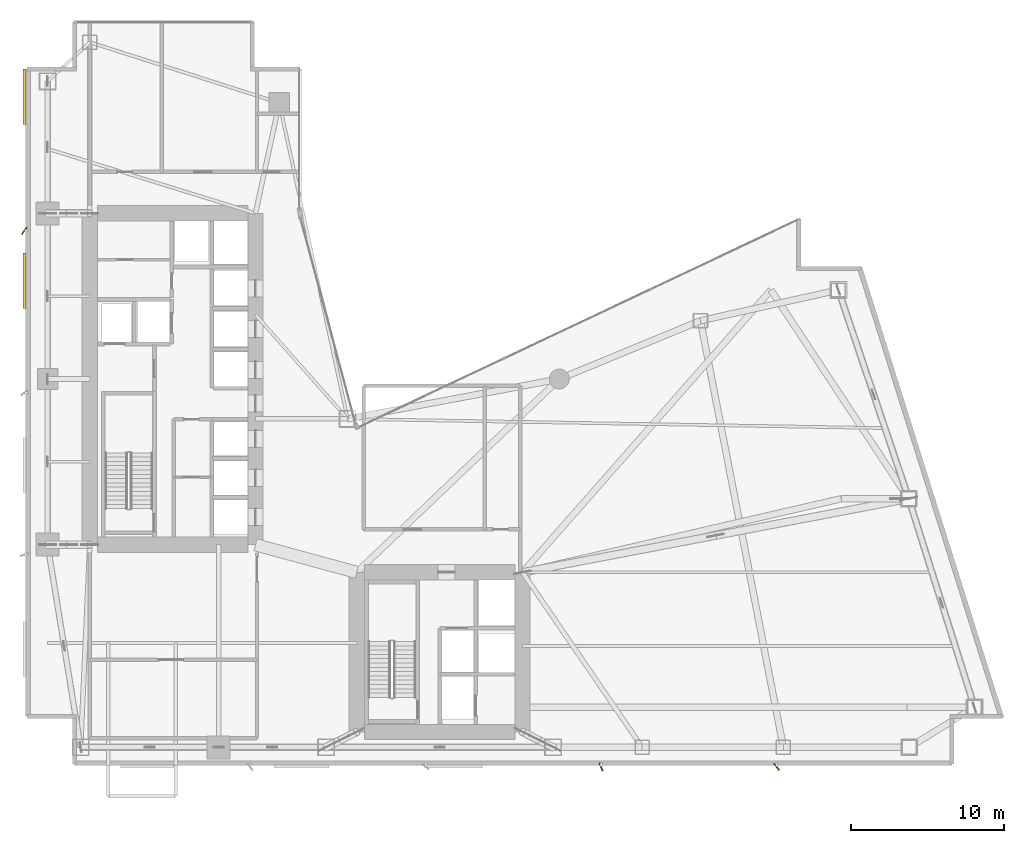
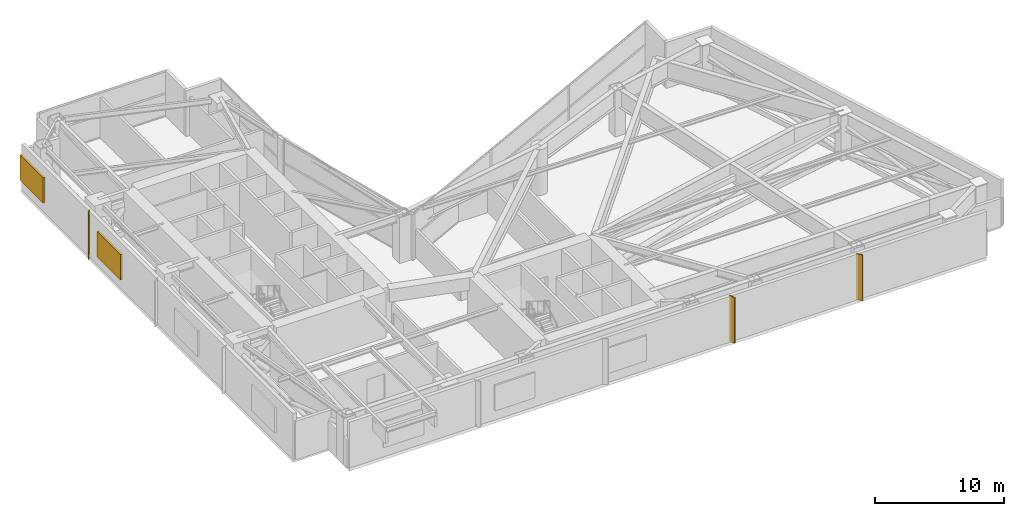
# One storey, part 18 of 18: 5 shading devices.
"""IFC4 building model written with IfcOpenShell, lengths in metres."""

from ifc_helpers import new_model, si_unit, direction, frame, origin, origin_2d, place, context, subcontext, project, spatial, rectangle, extrude, material, type_object, element, save


model = new_model("IFC4")

# Units and contexts
model_context = context("Model", 3, precision=1e-05, world=origin(), true_north=direction((0.0, 1.0)))
body_context = subcontext(model_context, "Body", "Model", "MODEL_VIEW")
ifc_project = project(units=[si_unit("LENGTHUNIT", "METRE"), si_unit("AREAUNIT", "SQUARE_METRE"), si_unit("VOLUMEUNIT", "CUBIC_METRE"), si_unit("PLANEANGLEUNIT", "RADIAN"), si_unit("MASSUNIT", "GRAM", prefix="KILO")], contexts=[model_context])

# Site, building, storey
site_placement = place(None, origin())
site = spatial("IfcSite", under=ifc_project, at=site_placement, CompositionType="ELEMENT")
building_placement = place(site_placement, origin())
building = spatial("IfcBuilding", under=site, at=building_placement, Name="Calvorn Quay Hotel", CompositionType="ELEMENT")
storey_placement = place(building_placement, frame((0.0, 0.0, 92.60009765625)))
storey = spatial("IfcBuildingStorey", under=building, at=storey_placement, Name="L22", CompositionType="ELEMENT", Elevation=92.60009765625)

# Shading devices
ifc_material_1 = material(Name="Champagne Bronze Anodised Aluminium 6063-T6", Category="aluminium")
shading_device_type_1 = type_object("IfcShadingDeviceType", Name="SHD-FIN-A1", PredefinedType="USERDEFINED", material=ifc_material_1)
shading_device_1_placement = place(storey_placement, frame((37.52001953125, 2.320068359375, -0.000244140625), z_axis=(0.0, 0.0, 1.0), x_axis=(-0.374606593416, 0.927183854567, 0.0)))
element("IfcShadingDevice", 1, at=shading_device_1_placement, inside=storey, type_object=shading_device_type_1, Name="Diagonal Sun-Shading Fin L22-S03", ObjectType="FIN", PredefinedType="USERDEFINED", context=body_context, shape_type="SweptSolid", body=[
    extrude(rectangle(XDim=0.550048828125, YDim=0.080078125, at=origin_2d()), origin(), (0.0, 0.0, 1.0), 4.35009765625),
])
ifc_material_2 = material(Name="Champagne Bronze Anodised Aluminium 6063-T6", Category="aluminium")
shading_device_type_2 = type_object("IfcShadingDeviceType", Name="SHD-FIN-A2", PredefinedType="USERDEFINED", material=ifc_material_2)
shading_device_2_placement = place(storey_placement, frame((48.9599609375, 2.320068359375, -0.000244140625), z_axis=(0.0, 0.0, 1.0), x_axis=(-0.615661475326, 0.788010753607, 0.0)))
element("IfcShadingDevice", 2, at=shading_device_2_placement, inside=storey, type_object=shading_device_type_2, Name="Diagonal Sun-Shading Fin L22-S04", ObjectType="FIN", PredefinedType="USERDEFINED", context=body_context, shape_type="SweptSolid", body=[
    extrude(rectangle(XDim=0.550048828125, YDim=0.080078125, at=origin_2d()), origin(), (0.0, 0.0, 1.0), 4.35009765625),
])
ifc_material_3 = material(Name="Champagne Bronze Anodised Aluminium 6063-T6", Category="aluminium")
shading_device_type_3 = type_object("IfcShadingDeviceType", Name="SHD-FIN-A3", PredefinedType="USERDEFINED", material=ifc_material_3)
shading_device_3_placement = place(storey_placement, frame((-0.080078125, 37.25, -0.000244140625), z_axis=(0.0, 0.0, 1.0), x_axis=(0.587785252292, 0.809016994375, 0.0)))
element("IfcShadingDevice", 3, at=shading_device_3_placement, inside=storey, type_object=shading_device_type_3, Name="Diagonal Sun-Shading Fin L22-W03", ObjectType="FIN", PredefinedType="USERDEFINED", context=body_context, shape_type="SweptSolid", body=[
    extrude(rectangle(XDim=0.550048828125, YDim=0.080078125, at=origin_2d()), origin(), (0.0, 0.0, 1.0), 4.35009765625),
])
ifc_material_4 = material(Name="Anodised Aluminium 6063-T6", Category="aluminium")
shading_device_type_4 = type_object("IfcShadingDeviceType", Name="SHD-MECH-LOUVRE", PredefinedType="USERDEFINED", material=ifc_material_4)
for number, where, z_axis, x_axis, name in (
    (4, (-0.06005859375, 34.0, 0.974853515625), (0.0, 0.0, 1.0), (1.0, 0.0, 0.0), "Refuge Stormproof Intake Louvre L22-W3"),
    (5, (-0.06005859375, 46.0, 0.974853515625), (0.0, 0.0, 1.0), (1.0, 0.0, 0.0), "Refuge Stormproof Intake Louvre L22-W4"),
):
    element("IfcShadingDevice", number, at=place(storey_placement, frame(where, z_axis=z_axis, x_axis=x_axis)), inside=storey, type_object=shading_device_type_4, Name=name, ObjectType="LOUVRE", PredefinedType="USERDEFINED", context=body_context, shape_type="SweptSolid", body=[
        extrude(rectangle(XDim=0.179931640625, YDim=3.60009765625, at=origin_2d()), origin(), (0.0, 0.0, 1.0), 2.39990234375),
    ])

save(model, "model.ifc")
